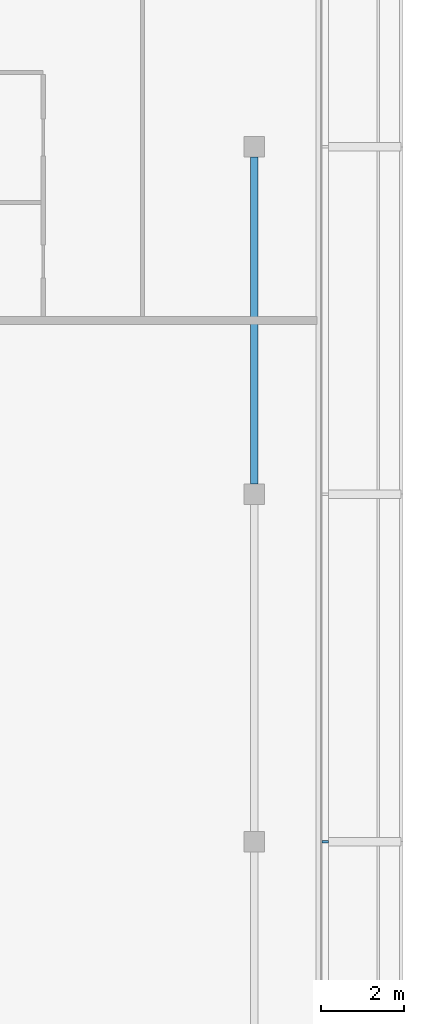
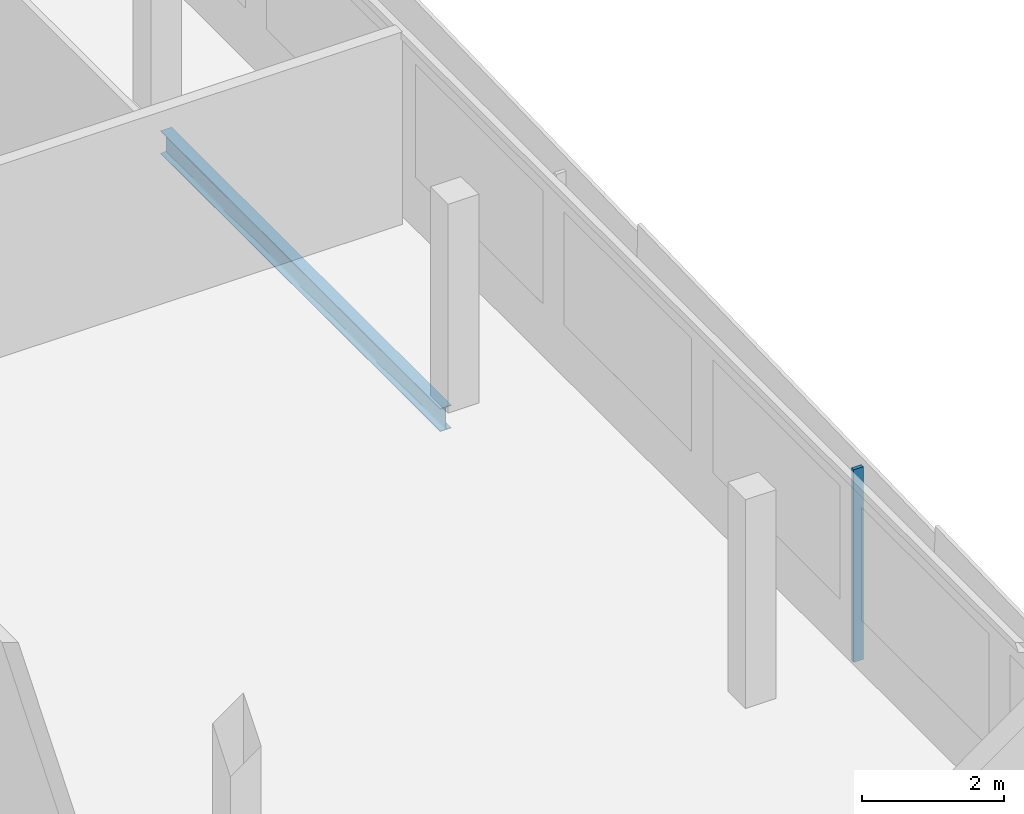
# One storey, part 11 of 27: 1 beam, 1 member, 1 element without a shape of its own.
"""IFC4 building model written with IfcOpenShell, lengths in metres."""

from ifc_helpers import new_model, si_unit, direction, frame, origin, origin_2d, place, context, subcontext, project, spatial, rectangle, i_section, extrude, material, material_profile, profile_set, type_object, element, aggregate, save


model = new_model("IFC4")

# Units and contexts
model_context = context("Model", 3, precision=1e-05, world=origin(), true_north=direction((0.0, 1.0)))
body_context = subcontext(model_context, "Body", "Model", "MODEL_VIEW")
ifc_project = project(units=[si_unit("LENGTHUNIT", "METRE"), si_unit("AREAUNIT", "SQUARE_METRE"), si_unit("VOLUMEUNIT", "CUBIC_METRE"), si_unit("PLANEANGLEUNIT", "RADIAN"), si_unit("MASSUNIT", "GRAM", prefix="KILO")], contexts=[model_context])

# Site, building, storey
site_placement = place(None, origin())
site = spatial("IfcSite", under=ifc_project, at=site_placement, CompositionType="ELEMENT")
building_placement = place(site_placement, origin())
building = spatial("IfcBuilding", under=site, at=building_placement, Name="Saffron Gate Tower", CompositionType="ELEMENT")
storey_placement = place(building_placement, frame((0.0, 0.0, 267.14990234375)))
storey = spatial("IfcBuildingStorey", under=building, at=storey_placement, Name="L64", CompositionType="ELEMENT", Elevation=267.14990234375)

# Beam
ifc_material_1 = material(Name="Structural steel S355", Category="steel")
ifc_material_profile_1 = material_profile(ifc_material_1, i_section(OverallWidth=0.179931640625, OverallDepth=0.39990234375, WebThickness=0.008544921875, FlangeThickness=0.013427734375, FilletRadius=0.02099609375, at=origin_2d()))
ifc_profile_set_1 = profile_set([ifc_material_profile_1], Name="Structural steel S355")
beam_type = type_object("IfcBeamType", Name="B5 IPE 400", PredefinedType="SPANDREL", material=ifc_profile_set_1)
beam_placement = place(storey_placement, frame((125.39990234375, 57.25, -0.47998046875), z_axis=(0.0, 1.0, 0.0), x_axis=(-1.0, 0.0, 0.0)))
element("IfcBeam", 1, at=beam_placement, inside=storey, type_object=beam_type, Name="B5 SPANDREL BEAM", PredefinedType="SPANDREL", context=body_context, shape_type="SweptSolid", body=[
    extrude(i_section(OverallWidth=0.179931640625, OverallDepth=0.39990234375, WebThickness=0.008544921875, FlangeThickness=0.013427734375, FilletRadius=0.02099609375, at=origin_2d()), origin(), (0.0, 0.0, 1.0), 7.89990234375),
])

# Curtain wall, member
ifc_material_2 = material(Name="Aluminium, bronze anodised", Category="aluminium")
curtain_wall_type = type_object("IfcCurtainWallType", Name="CWS2 curtain wall side facades", PredefinedType="NOTDEFINED", material=ifc_material_2)
curtain_wall_placement = place(storey_placement, origin())
curtain_wall = element("IfcCurtainWall", 2, at=curtain_wall_placement, inside=storey, type_object=curtain_wall_type, Name="CWS2 run 4", PredefinedType="NOTDEFINED")
ifc_material_profile_2 = material_profile(ifc_material_2, rectangle(XDim=0.159912109375, YDim=0.06005859375, at=origin_2d()))
ifc_profile_set_2 = profile_set([ifc_material_profile_2], Name="Aluminium, bronze anodised")
member_type = type_object("IfcMemberType", Name="CWS2 mullion 60x160", PredefinedType="MULLION", material=ifc_profile_set_2)
member_placement = place(storey_placement, frame((127.1201171875, 48.60009765625, 0.0), z_axis=(0.0, 0.0, 1.0), x_axis=(-1.0, 0.0, 0.0)))
member = element("IfcMember", 3, at=member_placement, type_object=member_type, Name="CWS2 mullion 3", PredefinedType="MULLION", context=body_context, shape_type="SweptSolid", body=[
    extrude(rectangle(XDim=0.159912109375, YDim=0.06005859375, at=origin_2d()), origin(), (0.0, 0.0, 1.0), 3.320068359375),
])
aggregate(curtain_wall, [member])

save(model, "model.ifc")
